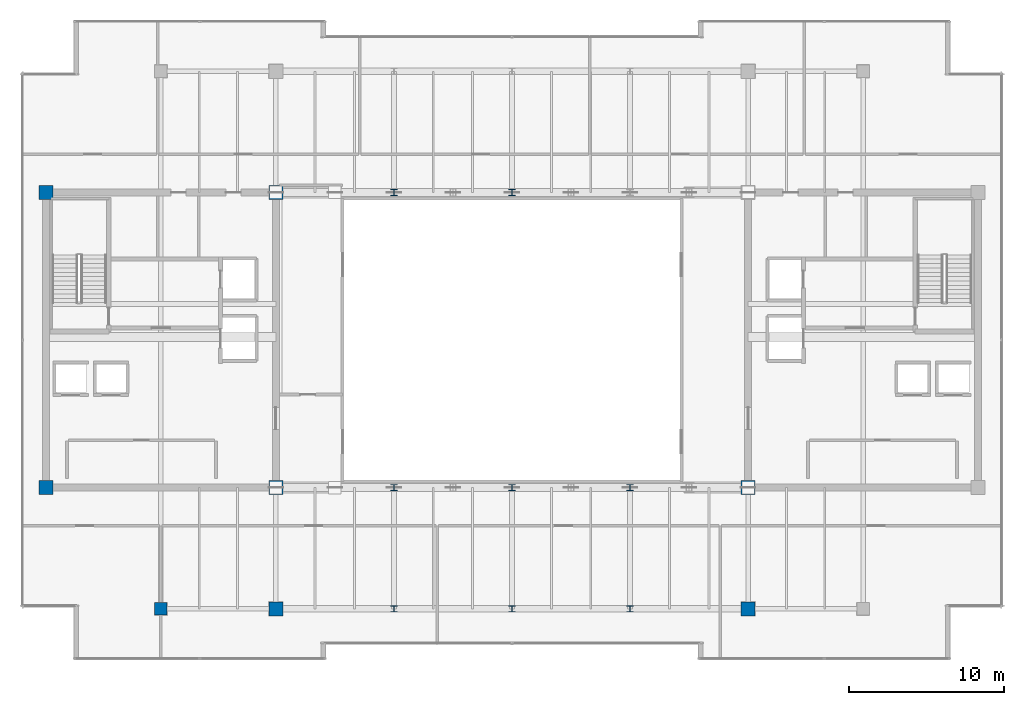
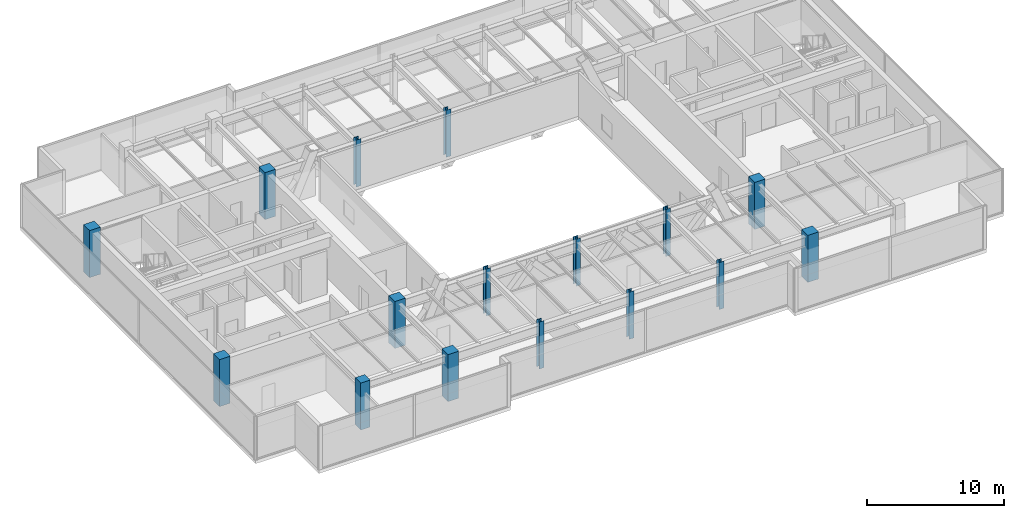
# One storey, part 1 of 32: 16 columns.
"""IFC4 building model written with IfcOpenShell, lengths in metres."""

from ifc_helpers import new_model, si_unit, direction, frame, origin, origin_2d, place, context, subcontext, project, spatial, rectangle, i_section, extrude, source, transform, mapped, material, material_profile, profile_set, type_object, type_shapes, element, save


model = new_model("IFC4")

# Units and contexts
model_context = context("Model", 3, precision=1e-05, world=origin(), true_north=direction((0.0, 1.0)))
body_context = subcontext(model_context, "Body", "Model", "MODEL_VIEW")
ifc_project = project(units=[si_unit("LENGTHUNIT", "METRE"), si_unit("AREAUNIT", "SQUARE_METRE"), si_unit("VOLUMEUNIT", "CUBIC_METRE"), si_unit("PLANEANGLEUNIT", "RADIAN"), si_unit("MASSUNIT", "GRAM", prefix="KILO")], contexts=[model_context])

# Site, building, storey
site_placement = place(None, origin())
site = spatial("IfcSite", under=ifc_project, at=site_placement, CompositionType="ELEMENT")
building_placement = place(site_placement, origin())
building = spatial("IfcBuilding", under=site, at=building_placement, Name="Haelvirn Gate Laboratories", CompositionType="ELEMENT")
storey_placement = place(building_placement, frame((0.0, 0.0, 301.800048828125)))
storey = spatial("IfcBuildingStorey", under=building, at=storey_placement, Name="L72", CompositionType="ELEMENT", Elevation=301.800048828125)

# Columns
ifc_material_1 = material(Name="Concrete C50/60", Category="concrete")
ifc_material_profile_1 = material_profile(ifc_material_1, rectangle(XDim=0.800048828125, YDim=0.800048828125, at=origin_2d()), Name="RC-800x800")
ifc_profile_set_1 = profile_set([ifc_material_profile_1], Name="Concrete C50/60")
column_type_1 = type_object("IfcColumnType", Name="COL-RC-800", PredefinedType="COLUMN", material=ifc_profile_set_1)
shared_shape_1 = source(origin(), body_context, "Body", "SweptSolid", [
    extrude(rectangle(XDim=0.800048828125, YDim=0.800048828125, at=origin_2d()), origin(), (0.0, 0.0, 1.0), 4.199951171875),
])
type_shapes(column_type_1, [shared_shape_1])
column_placement = place(storey_placement, frame((14.800048828125, 7.0, 0.0), z_axis=(0.0, 0.0, 1.0), x_axis=(1.0, 0.0, 0.0)))
element("IfcColumn", 1, at=column_placement, inside=storey, type_object=column_type_1, Name="L72 Column 3B", PredefinedType="COLUMN", context=body_context, shape_type="MappedRepresentation", body=[
    mapped(shared_shape_1, transform((0.0, 0.0, 0.0), scale=1.0)),
])
ifc_material_profile_2 = material_profile(ifc_material_1, rectangle(XDim=0.89990234375, YDim=0.89990234375, at=origin_2d()), Name="RC-900x900")
ifc_profile_set_2 = profile_set([ifc_material_profile_2], Name="Concrete C50/60")
column_type_2 = type_object("IfcColumnType", Name="COL-RC-900", PredefinedType="COLUMN", material=ifc_profile_set_2)
shared_shape_2 = source(origin(), body_context, "Body", "SweptSolid", [
    extrude(rectangle(XDim=0.89990234375, YDim=0.89990234375, at=origin_2d()), origin(), (0.0, 0.0, 1.0), 4.199951171875),
])
type_shapes(column_type_2, [shared_shape_2])
for number, where, z_axis, x_axis, name in (
    (2, (22.199951171875, 7.0, 0.0), (0.0, 0.0, 1.0), (1.0, 0.0, 0.0), "L72 Column 4B"),
    (3, (7.39990234375, 14.800048828125, 0.0), (0.0, 0.0, 1.0), (1.0, 0.0, 0.0), "L72 Column 2C"),
    (4, (22.199951171875, 14.800048828125, 0.0), (0.0, 0.0, 1.0), (1.0, 0.0, 0.0), "L72 Column 4C"),
    (5, (7.39990234375, 33.800048828125, 0.0), (0.0, 0.0, 1.0), (1.0, 0.0, 0.0), "L72 Column 2F"),
    (6, (22.199951171875, 33.800048828125, 0.0), (0.0, 0.0, 1.0), (1.0, 0.0, 0.0), "L72 Column 4F"),
    (7, (52.60009765625, 7.0, 0.0), (0.0, 0.0, 1.0), (1.0, 0.0, 0.0), "L72 Column 8B"),
    (8, (52.60009765625, 14.800048828125, 0.0), (0.0, 0.0, 1.0), (1.0, 0.0, 0.0), "L72 Column 8C"),
):
    element("IfcColumn", number, at=place(storey_placement, frame(where, z_axis=z_axis, x_axis=x_axis)), inside=storey, type_object=column_type_2, Name=name, PredefinedType="COLUMN", context=body_context, shape_type="MappedRepresentation", body=[
        mapped(shared_shape_2, transform((0.0, 0.0, 0.0), scale=1.0)),
    ])
ifc_material_2 = material(Name="Steel SM355", Category="steel")
ifc_material_profile_3 = material_profile(ifc_material_2, i_section(OverallWidth=0.39990234375, OverallDepth=0.39990234375, WebThickness=0.02099609375, FlangeThickness=0.02099609375, at=origin_2d()), Name="H-400x400x21x21")
ifc_profile_set_3 = profile_set([ifc_material_profile_3], Name="Steel SM355")
column_type_3 = type_object("IfcColumnType", Name="COL-H-400", PredefinedType="COLUMN", material=ifc_profile_set_3)
shared_shape_3 = source(origin(), body_context, "Body", "SweptSolid", [
    extrude(i_section(OverallWidth=0.39990234375, OverallDepth=0.39990234375, WebThickness=0.02099609375, FlangeThickness=0.02099609375, at=origin_2d()), origin(), (0.0, 0.0, 1.0), 4.199951171875),
])
type_shapes(column_type_3, [shared_shape_3])
for number, where, z_axis, x_axis, name in (
    (9, (29.800048828125, 7.0, 0.0), (0.0, 0.0, 1.0), (1.0, 0.0, 0.0), "L72 Column 5B"),
    (10, (29.800048828125, 14.800048828125, 0.0), (0.0, 0.0, 1.0), (1.0, 0.0, 0.0), "L72 Column 5C"),
    (11, (29.800048828125, 33.800048828125, 0.0), (0.0, 0.0, 1.0), (1.0, 0.0, 0.0), "L72 Column 5F"),
    (12, (37.39990234375, 7.0, 0.0), (0.0, 0.0, 1.0), (1.0, 0.0, 0.0), "L72 Column 6B"),
    (13, (37.39990234375, 14.800048828125, 0.0), (0.0, 0.0, 1.0), (1.0, 0.0, 0.0), "L72 Column 6C"),
    (14, (37.39990234375, 33.800048828125, 0.0), (0.0, 0.0, 1.0), (1.0, 0.0, 0.0), "L72 Column 6F"),
    (15, (45.0, 7.0, 0.0), (0.0, 0.0, 1.0), (1.0, 0.0, 0.0), "L72 Column 7B"),
    (16, (45.0, 14.800048828125, 0.0), (0.0, 0.0, 1.0), (1.0, 0.0, 0.0), "L72 Column 7C"),
):
    element("IfcColumn", number, at=place(storey_placement, frame(where, z_axis=z_axis, x_axis=x_axis)), inside=storey, type_object=column_type_3, Name=name, PredefinedType="COLUMN", context=body_context, shape_type="MappedRepresentation", body=[
        mapped(shared_shape_3, transform((0.0, 0.0, 0.0), scale=1.0)),
    ])

save(model, "model.ifc")
